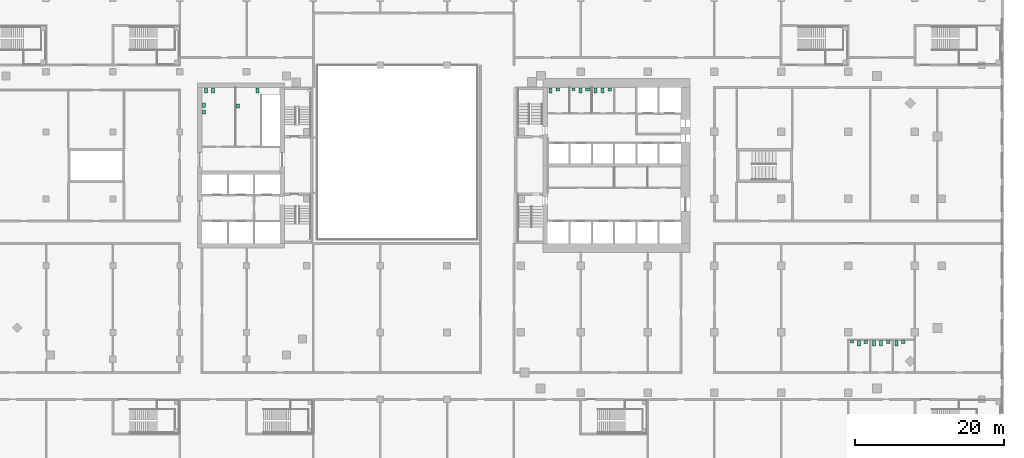
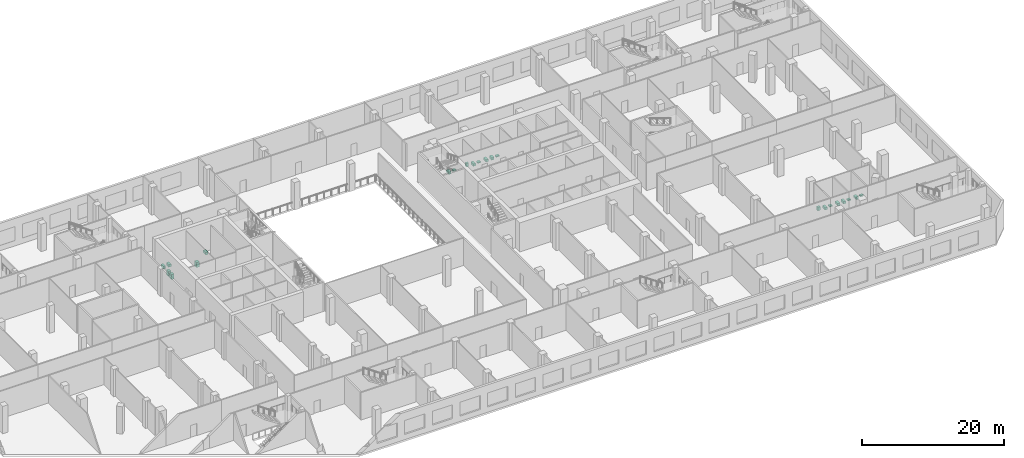
# One storey, part 21 of 21: 22 sanitary terminals.
"""IFC4 building model written with IfcOpenShell, lengths in metres."""

from ifc_helpers import new_model, si_unit, direction, frame, origin, origin_2d, place, context, subcontext, project, spatial, rectangle, extrude, material, type_object, element, save


model = new_model("IFC4")

# Units and contexts
model_context = context("Model", 3, precision=1e-05, world=origin(), true_north=direction((0.0, 1.0)))
body_context = subcontext(model_context, "Body", "Model", "MODEL_VIEW")
ifc_project = project(units=[si_unit("LENGTHUNIT", "METRE"), si_unit("AREAUNIT", "SQUARE_METRE"), si_unit("VOLUMEUNIT", "CUBIC_METRE"), si_unit("PLANEANGLEUNIT", "RADIAN"), si_unit("MASSUNIT", "GRAM", prefix="KILO")], contexts=[model_context])

# Site, building, storey
site_placement = place(None, origin())
site = spatial("IfcSite", under=ifc_project, at=site_placement, CompositionType="ELEMENT")
building_placement = place(site_placement, origin())
building = spatial("IfcBuilding", under=site, at=building_placement, Name="Cinnabar Reach Civic Tower", CompositionType="ELEMENT")
storey_placement = place(building_placement, frame((0.0, 0.0, 16.0)))
storey = spatial("IfcBuildingStorey", under=building, at=storey_placement, Name="L03", CompositionType="ELEMENT", Elevation=16.0)

# Sanitary terminals
ifc_material = material(Name="Vitreous china")
sanitary_terminal_type_1 = type_object("IfcSanitaryTerminalType", Name="T1 WC pan", PredefinedType="TOILETPAN", material=ifc_material)
for number, where, z_axis, x_axis, name in (
    (1, (46.45, 7.55, 0.0), (0.0, 0.0, 1.0), (1.0, 0.0, 0.0), "T1 WC pan 0350-2"),
    (2, (48.5, 7.55, 0.0), (0.0, 0.0, 1.0), (1.0, 0.0, 0.0), "T1 WC pan 0351-1"),
    (3, (49.45, 7.55, 0.0), (0.0, 0.0, 1.0), (1.0, 0.0, 0.0), "T1 WC pan 0351-2"),
    (4, (51.5, 7.55, 0.0), (0.0, 0.0, 1.0), (1.0, 0.0, 0.0), "T1 WC pan 0352-1"),
    (5, (4.95, 41.6, 0.0), (0.0, 0.0, 1.0), (1.0, 0.0, 0.0), "T1 WC pan 0307-1"),
    (6, (8.95, 41.6, 0.0), (0.0, 0.0, 1.0), (1.0, 0.0, 0.0), "T1 WC pan 0308-2"),
    (7, (11.0, 41.6, 0.0), (0.0, 0.0, 1.0), (1.0, 0.0, 0.0), "T1 WC pan 0309-1"),
    (8, (11.95, 41.6, 0.0), (0.0, 0.0, 1.0), (1.0, 0.0, 0.0), "T1 WC pan 0309-2"),
):
    element("IfcSanitaryTerminal", number, at=place(storey_placement, frame(where, z_axis=z_axis, x_axis=x_axis)), inside=storey, type_object=sanitary_terminal_type_1, Name=name, PredefinedType="TOILETPAN", context=body_context, shape_type="SweptSolid", body=[
        extrude(rectangle(XDim=0.4, YDim=0.7, at=origin_2d()), origin(), (0.0, 0.0, 1.0), 0.4),
    ])
sanitary_terminal_type_2 = type_object("IfcSanitaryTerminalType", Name="T1 urinal", PredefinedType="URINAL", material=ifc_material)
for number, where, z_axis, x_axis, name in (
    (9, (45.5, 7.725, 0.0), (0.0, 0.0, 1.0), (1.0, 0.0, 0.0), "T1 urinal 0350-1"),
    (10, (8.0, 41.775, 0.0), (0.0, 0.0, 1.0), (1.0, 0.0, 0.0), "T1 urinal 0308-1"),
):
    element("IfcSanitaryTerminal", number, at=place(storey_placement, frame(where, z_axis=z_axis, x_axis=x_axis)), inside=storey, type_object=sanitary_terminal_type_2, Name=name, PredefinedType="URINAL", context=body_context, shape_type="SweptSolid", body=[
        extrude(rectangle(XDim=0.4, YDim=0.35, at=origin_2d()), origin(), (0.0, 0.0, 1.0), 0.6),
    ])
sanitary_terminal_type_3 = type_object("IfcSanitaryTerminalType", Name="T1 wash basin", PredefinedType="WASHHANDBASIN", material=ifc_material)
for number, where, z_axis, x_axis, name in (
    (11, (47.4, 7.69, 0.0), (0.0, 0.0, 1.0), (1.0, 0.0, 0.0), "T1 wash basin 0350-3"),
    (12, (50.4, 7.69, 0.0), (0.0, 0.0, 1.0), (1.0, 0.0, 0.0), "T1 wash basin 0351-3"),
    (13, (52.45, 7.69, 0.0), (0.0, 0.0, 1.0), (1.0, 0.0, 0.0), "T1 wash basin 0352-2"),
    (14, (5.9, 41.74, 0.0), (0.0, 0.0, 1.0), (1.0, 0.0, 0.0), "T1 wash basin 0307-2"),
    (15, (9.9, 41.74, 0.0), (0.0, 0.0, 1.0), (1.0, 0.0, 0.0), "T1 wash basin 0308-3"),
    (16, (12.9, 41.74, 0.0), (0.0, 0.0, 1.0), (1.0, 0.0, 0.0), "T1 wash basin 0309-3"),
):
    element("IfcSanitaryTerminal", number, at=place(storey_placement, frame(where, z_axis=z_axis, x_axis=x_axis)), inside=storey, type_object=sanitary_terminal_type_3, Name=name, PredefinedType="WASHHANDBASIN", context=body_context, shape_type="SweptSolid", body=[
        extrude(rectangle(XDim=0.5, YDim=0.42, at=origin_2d()), origin(), (0.0, 0.0, 1.0), 0.2),
    ])
sanitary_terminal_type_4 = type_object("IfcSanitaryTerminalType", Name="T2 WC pan", PredefinedType="TOILETPAN", material=ifc_material)
for number, where, z_axis, x_axis, name in (
    (17, (-41.45, 41.6, 0.0), (0.0, 0.0, 1.0), (1.0, 0.0, 0.0), "WC pan"),
    (18, (-40.55, 41.6, 0.0), (0.0, 0.0, 1.0), (1.0, 0.0, 0.0), "WC pan"),
    (19, (-34.55, 41.6, 0.0), (0.0, 0.0, 1.0), (1.0, 0.0, 0.0), "WC pan"),
):
    element("IfcSanitaryTerminal", number, at=place(storey_placement, frame(where, z_axis=z_axis, x_axis=x_axis)), inside=storey, type_object=sanitary_terminal_type_4, Name=name, PredefinedType="TOILETPAN", context=body_context, shape_type="SweptSolid", body=[
        extrude(rectangle(XDim=0.4, YDim=0.7, at=origin_2d()), origin(), (0.0, 0.0, 1.0), 0.42),
    ])
sanitary_terminal_type_5 = type_object("IfcSanitaryTerminalType", Name="T2 Wash basin", PredefinedType="WASHHANDBASIN", material=ifc_material)
for number, where, z_axis, x_axis, name in (
    (20, (-41.725, 39.6, 0.0), (0.0, 0.0, 1.0), (1.0, 0.0, 0.0), "Wash basin"),
    (21, (-41.725, 38.7, 0.0), (0.0, 0.0, 1.0), (1.0, 0.0, 0.0), "Wash basin"),
    (22, (-37.175, 39.5, 0.0), (0.0, 0.0, 1.0), (1.0, 0.0, 0.0), "Wash basin"),
):
    element("IfcSanitaryTerminal", number, at=place(storey_placement, frame(where, z_axis=z_axis, x_axis=x_axis)), inside=storey, type_object=sanitary_terminal_type_5, Name=name, PredefinedType="WASHHANDBASIN", context=body_context, shape_type="SweptSolid", body=[
        extrude(rectangle(XDim=0.45, YDim=0.55, at=origin_2d()), origin(), (0.0, 0.0, 1.0), 0.85),
    ])

save(model, "model.ifc")
